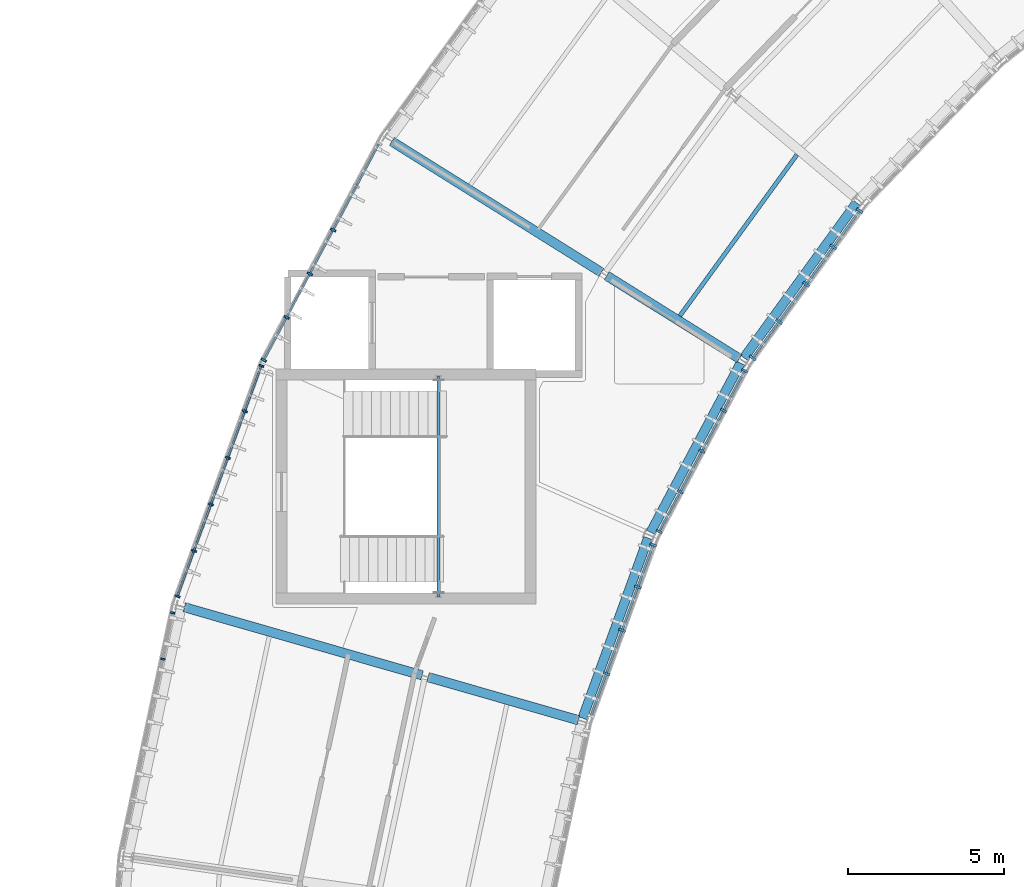
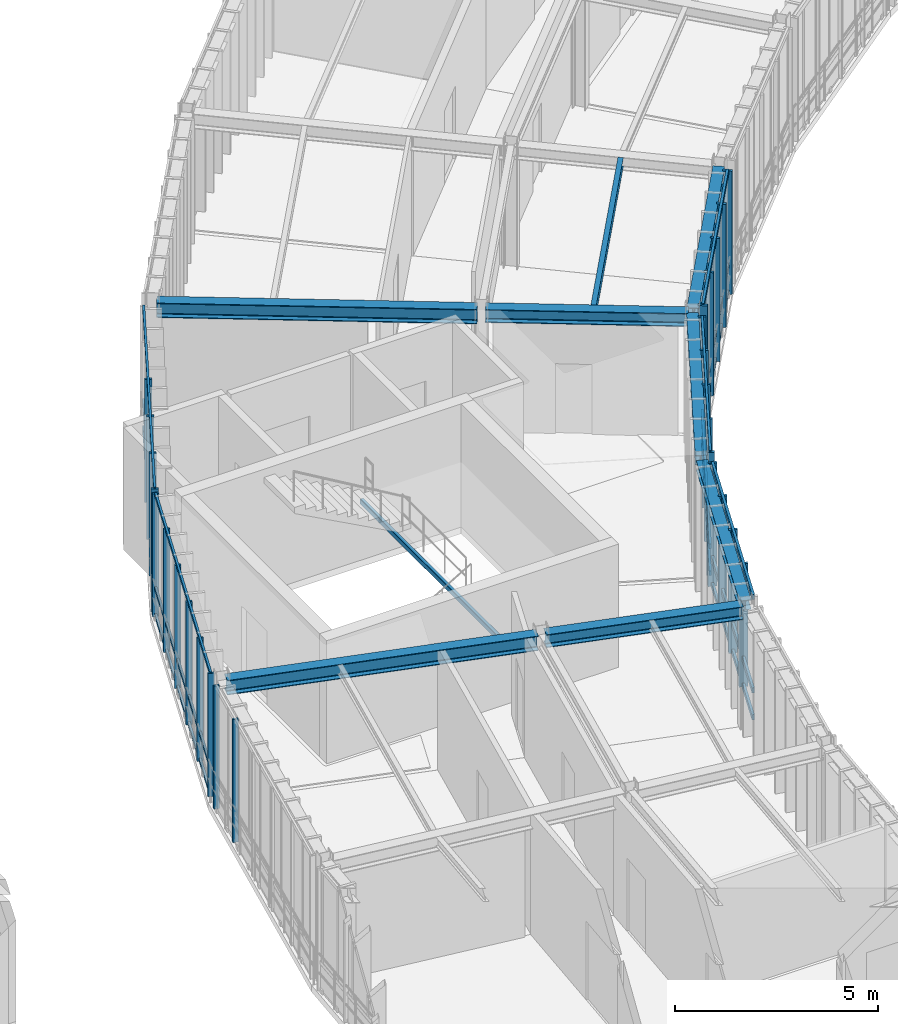
# One storey, part 11 of 41: 42 members, 8 beams, 6 elements without a shape of their own.
"""IFC4 building model written with IfcOpenShell, lengths in metres."""

from ifc_helpers import new_model, si_unit, direction, frame, origin, origin_2d, place, context, subcontext, project, spatial, rectangle, hollow_rectangle, i_section, extrude, material, layer, layer_set, material_profile, profile_set, type_object, element, aggregate, save


model = new_model("IFC4")

# Units and contexts
model_context = context("Model", 3, precision=1e-05, world=origin(), true_north=direction((0.0, 1.0)))
body_context = subcontext(model_context, "Body", "Model", "MODEL_VIEW")
ifc_project = project(units=[si_unit("LENGTHUNIT", "METRE"), si_unit("AREAUNIT", "SQUARE_METRE"), si_unit("VOLUMEUNIT", "CUBIC_METRE"), si_unit("PLANEANGLEUNIT", "RADIAN"), si_unit("MASSUNIT", "GRAM", prefix="KILO"), si_unit("THERMODYNAMICTEMPERATUREUNIT", "KELVIN"), si_unit("POWERUNIT", "WATT")], contexts=[model_context])

# Site, building, storey
site_placement = place(None, origin())
site = spatial("IfcSite", under=ifc_project, at=site_placement, CompositionType="ELEMENT")
building_placement = place(site_placement, origin())
building = spatial("IfcBuilding", under=site, at=building_placement, Name="Solvatero Civic Police Headquarters", CompositionType="ELEMENT")
storey_placement = place(building_placement, frame((0.0, 0.0, 17.699951171875)))
storey = spatial("IfcBuildingStorey", under=building, at=storey_placement, Name="L04", CompositionType="ELEMENT", Elevation=17.699951171875)

# Beams
ifc_material_1 = material(Name="Steel S355", Category="steel")
ifc_material_profile_1 = material_profile(ifc_material_1, i_section(OverallWidth=0.300048828125, OverallDepth=0.2900390625, WebThickness=0.008544921875, FlangeThickness=0.013916015625, FilletRadius=0.027099609375, at=origin_2d()), Name="HEA 300")
ifc_profile_set_1 = profile_set([ifc_material_profile_1], Name="Steel S355")
beam_type_1 = type_object("IfcBeamType", Name="BM-ST-HEA300", PredefinedType="SPANDREL", material=ifc_profile_set_1)
beam_1_placement = place(storey_placement, frame((59.201171875, 55.069580078125, 3.554931640625), z_axis=(-0.587785436261, -0.809016860714, 0.0), x_axis=(0.809016860714, -0.587785436261, 0.0)))
element("IfcBeam", 1, at=beam_1_placement, inside=storey, type_object=beam_type_1, Name="Perimeter / radial spandrel beam BM-R2-L04-ARC-CIN-B08", PredefinedType="SPANDREL", context=body_context, shape_type="SweptSolid", body=[
    extrude(i_section(OverallWidth=0.300048828125, OverallDepth=0.2900390625, WebThickness=0.008544921875, FlangeThickness=0.013916015625, FilletRadius=0.027099609375, at=origin_2d()), origin(), (0.0, 0.0, 1.0), 6.126953125),
])
beam_2_placement = place(storey_placement, frame((55.494140625, 49.943603515625, 3.554931640625), z_axis=(-0.469466925059, -0.882950058766, 0.0), x_axis=(0.882950058766, -0.469466925059, 0.0)))
element("IfcBeam", 2, at=beam_2_placement, inside=storey, type_object=beam_type_1, Name="Perimeter / radial spandrel beam BM-R2-L04-ARC-CIN-B09", PredefinedType="SPANDREL", context=body_context, shape_type="SweptSolid", body=[
    extrude(i_section(OverallWidth=0.300048828125, OverallDepth=0.2900390625, WebThickness=0.008544921875, FlangeThickness=0.013916015625, FilletRadius=0.027099609375, at=origin_2d()), origin(), (0.0, 0.0, 1.0), 6.127197265625),
])
beam_3_placement = place(storey_placement, frame((52.53662109375, 44.3515625, 3.554931640625), z_axis=(-0.342050189855, -0.939681684199, 0.0), x_axis=(0.939681684199, -0.342050189855, 0.0)))
element("IfcBeam", 3, at=beam_3_placement, inside=storey, type_object=beam_type_1, Name="Perimeter / radial spandrel beam BM-R2-L04-ARC-CIN-B10", PredefinedType="SPANDREL", context=body_context, shape_type="SweptSolid", body=[
    extrude(i_section(OverallWidth=0.300048828125, OverallDepth=0.2900390625, WebThickness=0.008544921875, FlangeThickness=0.013916015625, FilletRadius=0.027099609375, at=origin_2d()), origin(), (0.0, 0.0, 1.0), 6.126953125),
])
ifc_material_profile_2 = material_profile(ifc_material_1, i_section(OverallWidth=0.300048828125, OverallDepth=0.389892578125, WebThickness=0.010986328125, FlangeThickness=0.01904296875, FilletRadius=0.027099609375, at=origin_2d()), Name="HEA 400")
ifc_profile_set_2 = profile_set([ifc_material_profile_2], Name="Steel S355")
beam_type_2 = type_object("IfcBeamType", Name="BM-ST-HEA400", PredefinedType="BEAM", material=ifc_profile_set_2)
for number, where, z_axis, x_axis, name in (
    (4, (55.456298828125, 50.084716796875, 3.505126953125), (-0.848042191304, 0.529928713855, 0.0), (-0.529928713855, -0.848042191304, 0.0), "Primary girder BM-R2-L04-ARC-RAD1-S08"),
    (5, (50.310791015625, 38.52783203125, 3.505126953125), (-0.961263719424, 0.275630298987, 0.0), (-0.275630298987, -0.961263719424, 0.0), "Primary girder BM-R2-L04-ARC-RAD1-S10"),
):
    element("IfcBeam", number, at=place(storey_placement, frame(where, z_axis=z_axis, x_axis=x_axis)), inside=storey, type_object=beam_type_2, Name=name, PredefinedType="BEAM", context=body_context, shape_type="SweptSolid", body=[
        extrude(i_section(OverallWidth=0.300048828125, OverallDepth=0.389892578125, WebThickness=0.010986328125, FlangeThickness=0.01904296875, FilletRadius=0.027099609375, at=origin_2d()), origin(), (0.0, 0.0, 1.0), 5.0),
    ])
ifc_material_profile_3 = material_profile(ifc_material_1, i_section(OverallWidth=0.300048828125, OverallDepth=0.43994140625, WebThickness=0.011474609375, FlangeThickness=0.02099609375, FilletRadius=0.027099609375, at=origin_2d()), Name="HEA 450")
ifc_profile_set_3 = profile_set([ifc_material_profile_3], Name="Steel S355")
beam_type_3 = type_object("IfcBeamType", Name="BM-ST-HEA450", PredefinedType="BEAM", material=ifc_profile_set_3)
beam_4_placement = place(storey_placement, frame((51.04638671875, 52.84033203125, 3.47998046875), z_axis=(-0.848043440319, 0.529926715057, 0.0), x_axis=(-0.529926715057, -0.848043440319, 0.0)))
element("IfcBeam", 6, at=beam_4_placement, inside=storey, type_object=beam_type_3, Name="Primary girder BM-R2-L04-ARC-RAD2-S08", PredefinedType="BEAM", context=body_context, shape_type="SweptSolid", body=[
    extrude(i_section(OverallWidth=0.300048828125, OverallDepth=0.43994140625, WebThickness=0.011474609375, FlangeThickness=0.02099609375, FilletRadius=0.027099609375, at=origin_2d()), origin(), (0.0, 0.0, 1.0), 7.900146484375),
])
beam_5_placement = place(storey_placement, frame((45.31201171875, 39.961181640625, 3.47998046875), z_axis=(-0.961271645974, 0.275602653554, 0.0), x_axis=(-0.275602653554, -0.961271645974, 0.0)))
element("IfcBeam", 7, at=beam_5_placement, inside=storey, type_object=beam_type_3, Name="Primary girder BM-R2-L04-ARC-RAD2-S10", PredefinedType="BEAM", context=body_context, shape_type="SweptSolid", body=[
    extrude(i_section(OverallWidth=0.300048828125, OverallDepth=0.43994140625, WebThickness=0.011474609375, FlangeThickness=0.02099609375, FilletRadius=0.027099609375, at=origin_2d()), origin(), (0.0, 0.0, 1.0), 7.89990234375),
])
ifc_material_profile_4 = material_profile(ifc_material_1, i_section(OverallWidth=0.135009765625, OverallDepth=0.27001953125, WebThickness=0.006591796875, FlangeThickness=0.01025390625, FilletRadius=0.014892578125, at=origin_2d()), Name="IPE 270")
ifc_profile_set_4 = profile_set([ifc_material_profile_4], Name="Steel S355")
beam_type_4 = type_object("IfcBeamType", Name="BM-ST-IPE270", PredefinedType="BEAM", material=ifc_profile_set_4)
beam_6_placement = place(storey_placement, frame((57.294921875, 56.603759765625, 3.56494140625), z_axis=(-0.587786418719, -0.809016146915, 0.0), x_axis=(0.809016146915, -0.587786418719, 0.0)))
element("IfcBeam", 8, at=beam_6_placement, inside=storey, type_object=beam_type_4, Name="Composite floor beam BM-R2-L04-ARC-CS1-B08", PredefinedType="BEAM", context=body_context, shape_type="SweptSolid", body=[
    extrude(i_section(OverallWidth=0.135009765625, OverallDepth=0.27001953125, WebThickness=0.006591796875, FlangeThickness=0.01025390625, FilletRadius=0.014892578125, at=origin_2d()), origin(), (0.0, 0.0, 1.0), 6.36865234375),
])

# Curtain wall, members
ifc_material_2 = material(Name="Anodized Bronze Aluminium", Category="aluminium")
ifc_layer_1 = layer(ifc_material_2, 0.179931640625)
ifc_layer_set_1 = layer_set([ifc_layer_1], Name="Anodized Bronze Aluminium")
curtain_wall_type_1 = type_object("IfcCurtainWallType", Name="CW-ARC-IN", PredefinedType="USERDEFINED", material=ifc_layer_set_1)
curtain_wall_1_placement = place(storey_placement, origin())
curtain_wall_1 = element("IfcCurtainWall", 9, at=curtain_wall_1_placement, inside=storey, type_object=curtain_wall_type_1, Name="Curtain Wall CW-R2-L04-ARC-IN-B08", ObjectType="UNITISED", PredefinedType="USERDEFINED")
ifc_material_profile_5 = material_profile(ifc_material_2, rectangle(XDim=0.080078125, YDim=0.239990234375, at=origin_2d()), Name="ALU MULLION 80x240")
ifc_profile_set_5 = profile_set([ifc_material_profile_5], Name="Anodized Bronze Aluminium")
member_type_1 = type_object("IfcMemberType", Name="CWM-140x60", PredefinedType="MULLION", material=ifc_profile_set_5)
member_1_placement = place(storey_placement, frame((59.298583984375, 54.813232421875, 0.0), z_axis=(0.0, 0.0, 1.0), x_axis=(-0.587799372213, -0.809006735464, 0.0)))
member_1 = element("IfcMember", 10, at=member_1_placement, type_object=member_type_1, Name="CW-R2-L04-ARC-IN-B08 Mullion 1", PredefinedType="MULLION", context=body_context, shape_type="SweptSolid", body=[
    extrude(rectangle(XDim=0.080078125, YDim=0.239990234375, at=origin_2d()), origin(), (0.0, 0.0, 1.0), 3.699951171875),
])
member_2_placement = place(storey_placement, frame((58.45556640625, 53.653076171875, 0.0), z_axis=(0.0, 0.0, 1.0), x_axis=(-0.587799372213, -0.809006735464, 0.0)))
member_2 = element("IfcMember", 11, at=member_2_placement, type_object=member_type_1, Name="CW-R2-L04-ARC-IN-B08 Mullion 2", PredefinedType="MULLION", context=body_context, shape_type="SweptSolid", body=[
    extrude(rectangle(XDim=0.080078125, YDim=0.239990234375, at=origin_2d()), origin(), (0.0, 0.0, 1.0), 3.699951171875),
])
member_3_placement = place(storey_placement, frame((57.589111328125, 52.460205078125, 0.0), z_axis=(0.0, 0.0, 1.0), x_axis=(-0.587799372213, -0.809006735464, 0.0)))
member_3 = element("IfcMember", 12, at=member_3_placement, type_object=member_type_1, Name="CW-R2-L04-ARC-IN-B08 Mullion 3", PredefinedType="MULLION", context=body_context, shape_type="SweptSolid", body=[
    extrude(rectangle(XDim=0.080078125, YDim=0.239990234375, at=origin_2d()), origin(), (0.0, 0.0, 1.0), 3.699951171875),
])
member_4_placement = place(storey_placement, frame((56.722412109375, 51.267578125, 0.0), z_axis=(0.0, 0.0, 1.0), x_axis=(-0.587799372213, -0.809006735464, 0.0)))
member_4 = element("IfcMember", 13, at=member_4_placement, type_object=member_type_1, Name="CW-R2-L04-ARC-IN-B08 Mullion 4", PredefinedType="MULLION", context=body_context, shape_type="SweptSolid", body=[
    extrude(rectangle(XDim=0.080078125, YDim=0.239990234375, at=origin_2d()), origin(), (0.0, 0.0, 1.0), 3.699951171875),
])
member_5_placement = place(storey_placement, frame((55.87939453125, 50.107421875, 0.0), z_axis=(0.0, 0.0, 1.0), x_axis=(-0.587799372213, -0.809006735464, 0.0)))
member_5 = element("IfcMember", 14, at=member_5_placement, type_object=member_type_1, Name="CW-R2-L04-ARC-IN-B08 Mullion 5", PredefinedType="MULLION", context=body_context, shape_type="SweptSolid", body=[
    extrude(rectangle(XDim=0.080078125, YDim=0.239990234375, at=origin_2d()), origin(), (0.0, 0.0, 1.0), 3.699951171875),
])

ifc_layer_2 = layer(ifc_material_2, 0.179931640625)
ifc_layer_set_2 = layer_set([ifc_layer_2], Name="Anodized Bronze Aluminium")
curtain_wall_type_2 = type_object("IfcCurtainWallType", Name="CW-ARC-OUT", PredefinedType="USERDEFINED", material=ifc_layer_set_2)
curtain_wall_2_placement = place(storey_placement, origin())
curtain_wall_2 = element("IfcCurtainWall", 15, at=curtain_wall_2_placement, inside=storey, type_object=curtain_wall_type_2, Name="Curtain Wall CW-R2-L04-ARC-OUT-B11", ObjectType="UNITISED", PredefinedType="USERDEFINED")
ifc_material_profile_6 = material_profile(ifc_material_2, rectangle(XDim=0.06005859375, YDim=0.139892578125, at=origin_2d()), Name="ALU MULLION 60x140")
ifc_profile_set_6 = profile_set([ifc_material_profile_6], Name="Anodized Bronze Aluminium")
member_type_2 = type_object("IfcMemberType", Name="CWM-160x65", PredefinedType="MULLION", material=ifc_profile_set_6)
member_6_placement = place(storey_placement, frame((37.343505859375, 41.959716796875, 0.0), z_axis=(0.0, 0.0, 1.0), x_axis=(-0.207911690818, -0.978147600734, 0.0)))
member_6 = element("IfcMember", 16, at=member_6_placement, type_object=member_type_2, Name="CW-R2-L04-ARC-OUT-B11 Mullion 1", PredefinedType="MULLION", context=body_context, shape_type="SweptSolid", body=[
    extrude(rectangle(XDim=0.06005859375, YDim=0.139892578125, at=origin_2d()), origin(), (0.0, 0.0, 1.0), 3.699951171875),
])
member_7_placement = place(storey_placement, frame((37.029296875, 40.482177734375, 0.0), z_axis=(0.0, 0.0, 1.0), x_axis=(-0.207911690818, -0.978147600734, 0.0)))
member_7 = element("IfcMember", 17, at=member_7_placement, type_object=member_type_2, Name="CW-R2-L04-ARC-OUT-B11 Mullion 2", PredefinedType="MULLION", context=body_context, shape_type="SweptSolid", body=[
    extrude(rectangle(XDim=0.06005859375, YDim=0.139892578125, at=origin_2d()), origin(), (0.0, 0.0, 1.0), 3.699951171875),
])
aggregate(curtain_wall_2, [member_6, member_7])

curtain_wall_3_placement = place(storey_placement, origin())
curtain_wall_3 = element("IfcCurtainWall", 18, at=curtain_wall_3_placement, inside=storey, type_object=curtain_wall_type_2, Name="Curtain Wall CW-R2-L04-ARC-OUT-B10", ObjectType="UNITISED", PredefinedType="USERDEFINED")
ifc_material_profile_7 = material_profile(ifc_material_2, rectangle(XDim=0.06005859375, YDim=0.159912109375, at=origin_2d()), Name="ALU MULLION 60x160")
ifc_profile_set_7 = profile_set([ifc_material_profile_7], Name="Anodized Bronze Aluminium")
member_type_3 = type_object("IfcMemberType", Name="CWM-180x70", PredefinedType="MULLION", material=ifc_profile_set_7)
member_8_placement = place(storey_placement, frame((40.17626953125, 49.854736328125, 0.0), z_axis=(0.0, 0.0, 1.0), x_axis=(-0.342020143326, -0.939692620786, 0.0)))
member_8 = element("IfcMember", 19, at=member_8_placement, type_object=member_type_3, Name="CW-R2-L04-ARC-OUT-B10 Mullion 1", PredefinedType="MULLION", context=body_context, shape_type="SweptSolid", body=[
    extrude(rectangle(XDim=0.06005859375, YDim=0.159912109375, at=origin_2d()), origin(), (0.0, 0.0, 1.0), 3.699951171875),
])
member_9_placement = place(storey_placement, frame((39.648193359375, 48.404052734375, 0.0), z_axis=(0.0, 0.0, 1.0), x_axis=(-0.342020143326, -0.939692620786, 0.0)))
member_9 = element("IfcMember", 20, at=member_9_placement, type_object=member_type_3, Name="CW-R2-L04-ARC-OUT-B10 Mullion 2", PredefinedType="MULLION", context=body_context, shape_type="SweptSolid", body=[
    extrude(rectangle(XDim=0.06005859375, YDim=0.159912109375, at=origin_2d()), origin(), (0.0, 0.0, 1.0), 3.699951171875),
])
member_10_placement = place(storey_placement, frame((39.106689453125, 46.916015625, 0.0), z_axis=(0.0, 0.0, 1.0), x_axis=(-0.342020143326, -0.939692620786, 0.0)))
member_10 = element("IfcMember", 21, at=member_10_placement, type_object=member_type_3, Name="CW-R2-L04-ARC-OUT-B10 Mullion 3", PredefinedType="MULLION", context=body_context, shape_type="SweptSolid", body=[
    extrude(rectangle(XDim=0.06005859375, YDim=0.159912109375, at=origin_2d()), origin(), (0.0, 0.0, 1.0), 3.699951171875),
])
member_11_placement = place(storey_placement, frame((38.56494140625, 45.427734375, 0.0), z_axis=(0.0, 0.0, 1.0), x_axis=(-0.342020143326, -0.939692620786, 0.0)))
member_11 = element("IfcMember", 22, at=member_11_placement, type_object=member_type_3, Name="CW-R2-L04-ARC-OUT-B10 Mullion 4", PredefinedType="MULLION", context=body_context, shape_type="SweptSolid", body=[
    extrude(rectangle(XDim=0.06005859375, YDim=0.159912109375, at=origin_2d()), origin(), (0.0, 0.0, 1.0), 3.699951171875),
])
member_12_placement = place(storey_placement, frame((38.023193359375, 43.939453125, 0.0), z_axis=(0.0, 0.0, 1.0), x_axis=(-0.342020143326, -0.939692620786, 0.0)))
member_12 = element("IfcMember", 23, at=member_12_placement, type_object=member_type_3, Name="CW-R2-L04-ARC-OUT-B10 Mullion 5", PredefinedType="MULLION", context=body_context, shape_type="SweptSolid", body=[
    extrude(rectangle(XDim=0.06005859375, YDim=0.159912109375, at=origin_2d()), origin(), (0.0, 0.0, 1.0), 3.699951171875),
])
member_13_placement = place(storey_placement, frame((37.495361328125, 42.489013671875, 0.0), z_axis=(0.0, 0.0, 1.0), x_axis=(-0.342020143326, -0.939692620786, 0.0)))
member_13 = element("IfcMember", 24, at=member_13_placement, type_object=member_type_3, Name="CW-R2-L04-ARC-OUT-B10 Mullion 6", PredefinedType="MULLION", context=body_context, shape_type="SweptSolid", body=[
    extrude(rectangle(XDim=0.06005859375, YDim=0.159912109375, at=origin_2d()), origin(), (0.0, 0.0, 1.0), 3.699951171875),
])

curtain_wall_4_placement = place(storey_placement, origin())
curtain_wall_4 = element("IfcCurtainWall", 25, at=curtain_wall_4_placement, inside=storey, type_object=curtain_wall_type_2, Name="Curtain Wall CW-R2-L04-ARC-OUT-B09", ObjectType="UNITISED", PredefinedType="USERDEFINED")
ifc_material_profile_8 = material_profile(ifc_material_2, rectangle(XDim=0.06494140625, YDim=0.179931640625, at=origin_2d()), Name="ALU MULLION 65x180")
ifc_profile_set_8 = profile_set([ifc_material_profile_8], Name="Anodized Bronze Aluminium")
member_type_4 = type_object("IfcMemberType", Name="CWM-200x75", PredefinedType="MULLION", material=ifc_profile_set_8)
member_14_placement = place(storey_placement, frame((42.46923828125, 54.19677734375, 0.0), z_axis=(0.0, 0.0, 1.0), x_axis=(-0.469486973057, -0.8829393989, 0.0)))
member_14 = element("IfcMember", 26, at=member_14_placement, type_object=member_type_4, Name="CW-R2-L04-ARC-OUT-B09 Mullion 3", PredefinedType="MULLION", context=body_context, shape_type="SweptSolid", body=[
    extrude(rectangle(XDim=0.06494140625, YDim=0.179931640625, at=origin_2d()), origin(), (0.0, 0.0, 1.0), 3.699951171875),
])
member_15_placement = place(storey_placement, frame((41.7255859375, 52.79833984375, 0.0), z_axis=(0.0, 0.0, 1.0), x_axis=(-0.469486973057, -0.8829393989, 0.0)))
member_15 = element("IfcMember", 27, at=member_15_placement, type_object=member_type_4, Name="CW-R2-L04-ARC-OUT-B09 Mullion 4", PredefinedType="MULLION", context=body_context, shape_type="SweptSolid", body=[
    extrude(rectangle(XDim=0.06494140625, YDim=0.179931640625, at=origin_2d()), origin(), (0.0, 0.0, 1.0), 3.699951171875),
])
member_16_placement = place(storey_placement, frame((40.982177734375, 51.39990234375, 0.0), z_axis=(0.0, 0.0, 1.0), x_axis=(-0.469486973057, -0.8829393989, 0.0)))
member_16 = element("IfcMember", 28, at=member_16_placement, type_object=member_type_4, Name="CW-R2-L04-ARC-OUT-B09 Mullion 5", PredefinedType="MULLION", context=body_context, shape_type="SweptSolid", body=[
    extrude(rectangle(XDim=0.06494140625, YDim=0.179931640625, at=origin_2d()), origin(), (0.0, 0.0, 1.0), 3.699951171875),
])
member_17_placement = place(storey_placement, frame((40.25732421875, 50.037109375, 0.0), z_axis=(0.0, 0.0, 1.0), x_axis=(-0.469486973057, -0.8829393989, 0.0)))
member_17 = element("IfcMember", 29, at=member_17_placement, type_object=member_type_4, Name="CW-R2-L04-ARC-OUT-B09 Mullion 6", PredefinedType="MULLION", context=body_context, shape_type="SweptSolid", body=[
    extrude(rectangle(XDim=0.06494140625, YDim=0.179931640625, at=origin_2d()), origin(), (0.0, 0.0, 1.0), 3.699951171875),
])

curtain_wall_5_placement = place(storey_placement, origin())
curtain_wall_5 = element("IfcCurtainWall", 30, at=curtain_wall_5_placement, inside=storey, type_object=curtain_wall_type_1, Name="Curtain Wall CW-R2-L04-ARC-IN-B09", ObjectType="UNITISED", PredefinedType="USERDEFINED")
ifc_material_profile_9 = material_profile(ifc_material_2, rectangle(XDim=0.070068359375, YDim=0.199951171875, at=origin_2d()), Name="ALU MULLION 70x200")
ifc_profile_set_9 = profile_set([ifc_material_profile_9], Name="Anodized Bronze Aluminium")
member_type_5 = type_object("IfcMemberType", Name="CWM-220x80", PredefinedType="MULLION", material=ifc_profile_set_9)
member_18_placement = place(storey_placement, frame((55.62158203125, 49.694580078125, 0.0), z_axis=(0.0, 0.0, 1.0), x_axis=(-0.469486973057, -0.8829393989, 0.0)))
member_18 = element("IfcMember", 31, at=member_18_placement, type_object=member_type_5, Name="CW-R2-L04-ARC-IN-B09 Mullion 1", PredefinedType="MULLION", context=body_context, shape_type="SweptSolid", body=[
    extrude(rectangle(XDim=0.070068359375, YDim=0.199951171875, at=origin_2d()), origin(), (0.0, 0.0, 1.0), 3.699951171875),
])
member_19_placement = place(storey_placement, frame((54.9482421875, 48.427978515625, 0.0), z_axis=(0.0, 0.0, 1.0), x_axis=(-0.469486973057, -0.8829393989, 0.0)))
member_19 = element("IfcMember", 32, at=member_19_placement, type_object=member_type_5, Name="CW-R2-L04-ARC-IN-B09 Mullion 2", PredefinedType="MULLION", context=body_context, shape_type="SweptSolid", body=[
    extrude(rectangle(XDim=0.070068359375, YDim=0.199951171875, at=origin_2d()), origin(), (0.0, 0.0, 1.0), 3.699951171875),
])
member_20_placement = place(storey_placement, frame((54.256103515625, 47.12646484375, 0.0), z_axis=(0.0, 0.0, 1.0), x_axis=(-0.469486973057, -0.8829393989, 0.0)))
member_20 = element("IfcMember", 33, at=member_20_placement, type_object=member_type_5, Name="CW-R2-L04-ARC-IN-B09 Mullion 3", PredefinedType="MULLION", context=body_context, shape_type="SweptSolid", body=[
    extrude(rectangle(XDim=0.070068359375, YDim=0.199951171875, at=origin_2d()), origin(), (0.0, 0.0, 1.0), 3.699951171875),
])
member_21_placement = place(storey_placement, frame((53.56396484375, 45.82470703125, 0.0), z_axis=(0.0, 0.0, 1.0), x_axis=(-0.469486973057, -0.8829393989, 0.0)))
member_21 = element("IfcMember", 34, at=member_21_placement, type_object=member_type_5, Name="CW-R2-L04-ARC-IN-B09 Mullion 4", PredefinedType="MULLION", context=body_context, shape_type="SweptSolid", body=[
    extrude(rectangle(XDim=0.070068359375, YDim=0.199951171875, at=origin_2d()), origin(), (0.0, 0.0, 1.0), 3.699951171875),
])
member_22_placement = place(storey_placement, frame((52.890625, 44.55859375, 0.0), z_axis=(0.0, 0.0, 1.0), x_axis=(-0.469486973057, -0.8829393989, 0.0)))
member_22 = element("IfcMember", 35, at=member_22_placement, type_object=member_type_5, Name="CW-R2-L04-ARC-IN-B09 Mullion 5", PredefinedType="MULLION", context=body_context, shape_type="SweptSolid", body=[
    extrude(rectangle(XDim=0.070068359375, YDim=0.199951171875, at=origin_2d()), origin(), (0.0, 0.0, 1.0), 3.699951171875),
])

curtain_wall_6_placement = place(storey_placement, origin())
curtain_wall_6 = element("IfcCurtainWall", 36, at=curtain_wall_6_placement, inside=storey, type_object=curtain_wall_type_1, Name="Curtain Wall CW-R2-L04-ARC-IN-B10", ObjectType="UNITISED", PredefinedType="USERDEFINED")
ifc_material_profile_10 = material_profile(ifc_material_2, rectangle(XDim=0.074951171875, YDim=0.219970703125, at=origin_2d()), Name="ALU MULLION 75x220")
ifc_profile_set_10 = profile_set([ifc_material_profile_10], Name="Anodized Bronze Aluminium")
member_type_6 = type_object("IfcMemberType", Name="CWM-250x85", PredefinedType="MULLION", material=ifc_profile_set_10)
member_23_placement = place(storey_placement, frame((52.70068359375, 44.132080078125, 0.0), z_axis=(0.0, 0.0, 1.0), x_axis=(-0.342003742543, -0.93969859002, 0.0)))
member_23 = element("IfcMember", 37, at=member_23_placement, type_object=member_type_6, Name="CW-R2-L04-ARC-IN-B10 Mullion 1", PredefinedType="MULLION", context=body_context, shape_type="SweptSolid", body=[
    extrude(rectangle(XDim=0.074951171875, YDim=0.219970703125, at=origin_2d()), origin(), (0.0, 0.0, 1.0), 3.699951171875),
])
member_24_placement = place(storey_placement, frame((52.210205078125, 42.784423828125, 0.0), z_axis=(0.0, 0.0, 1.0), x_axis=(-0.342003742543, -0.93969859002, 0.0)))
member_24 = element("IfcMember", 38, at=member_24_placement, type_object=member_type_6, Name="CW-R2-L04-ARC-IN-B10 Mullion 2", PredefinedType="MULLION", context=body_context, shape_type="SweptSolid", body=[
    extrude(rectangle(XDim=0.074951171875, YDim=0.219970703125, at=origin_2d()), origin(), (0.0, 0.0, 1.0), 3.699951171875),
])
member_25_placement = place(storey_placement, frame((51.7060546875, 41.399169921875, 0.0), z_axis=(0.0, 0.0, 1.0), x_axis=(-0.342003742543, -0.93969859002, 0.0)))
member_25 = element("IfcMember", 39, at=member_25_placement, type_object=member_type_6, Name="CW-R2-L04-ARC-IN-B10 Mullion 3", PredefinedType="MULLION", context=body_context, shape_type="SweptSolid", body=[
    extrude(rectangle(XDim=0.074951171875, YDim=0.219970703125, at=origin_2d()), origin(), (0.0, 0.0, 1.0), 3.699951171875),
])
member_26_placement = place(storey_placement, frame((51.201904296875, 40.013916015625, 0.0), z_axis=(0.0, 0.0, 1.0), x_axis=(-0.342003742543, -0.93969859002, 0.0)))
member_26 = element("IfcMember", 40, at=member_26_placement, type_object=member_type_6, Name="CW-R2-L04-ARC-IN-B10 Mullion 4", PredefinedType="MULLION", context=body_context, shape_type="SweptSolid", body=[
    extrude(rectangle(XDim=0.074951171875, YDim=0.219970703125, at=origin_2d()), origin(), (0.0, 0.0, 1.0), 3.699951171875),
])

# Member
ifc_material_profile_11 = material_profile(ifc_material_2, rectangle(XDim=0.070068359375, YDim=0.159912109375, at=origin_2d()), Name="ALU TRANSOM 70x160")
ifc_profile_set_11 = profile_set([ifc_material_profile_11], Name="Anodized Bronze Aluminium")
member_type_7 = type_object("IfcMemberType", Name="CWT-120x55", PredefinedType="USERDEFINED", material=ifc_profile_set_11)
member_27_placement = place(storey_placement, frame((59.292724609375, 54.80517578125, 0.0400390625), z_axis=(-0.587808532943, -0.80900007948, 0.0), x_axis=(0.80900007948, -0.587808532943, 0.0)))
member_27 = element("IfcMember", 41, at=member_27_placement, type_object=member_type_7, Name="CW-R2-L04-ARC-IN-B08 Transom 1", ObjectType="TRANSOM", PredefinedType="USERDEFINED", context=body_context, shape_type="SweptSolid", body=[
    extrude(rectangle(XDim=0.070068359375, YDim=0.159912109375, at=origin_2d()), origin(), (0.0, 0.0, 1.0), 5.796875),
])

member_28_placement = place(storey_placement, frame((59.292724609375, 54.80517578125, 0.85009765625), z_axis=(-0.587808532943, -0.80900007948, 0.0), x_axis=(0.80900007948, -0.587808532943, 0.0)))
member_28 = element("IfcMember", 42, at=member_28_placement, type_object=member_type_7, Name="CW-R2-L04-ARC-IN-B08 Transom 2", ObjectType="TRANSOM", PredefinedType="USERDEFINED", context=body_context, shape_type="SweptSolid", body=[
    extrude(rectangle(XDim=0.070068359375, YDim=0.159912109375, at=origin_2d()), origin(), (0.0, 0.0, 1.0), 5.796875),
])

member_29_placement = place(storey_placement, frame((59.292724609375, 54.80517578125, 3.66015625), z_axis=(-0.587808532943, -0.80900007948, 0.0), x_axis=(0.80900007948, -0.587808532943, 0.0)))
member_29 = element("IfcMember", 43, at=member_29_placement, type_object=member_type_7, Name="CW-R2-L04-ARC-IN-B08 Transom 3", ObjectType="TRANSOM", PredefinedType="USERDEFINED", context=body_context, shape_type="SweptSolid", body=[
    extrude(rectangle(XDim=0.070068359375, YDim=0.159912109375, at=origin_2d()), origin(), (0.0, 0.0, 1.0), 5.796875),
])

aggregate(curtain_wall_1, [member_1, member_2, member_3, member_4, member_5, member_27, member_28, member_29])

member_30_placement = place(storey_placement, frame((52.697265625, 44.122802734375, 0.0400390625), z_axis=(-0.341986528417, -0.939704854931, 0.0), x_axis=(0.939704854931, -0.341986528417, 0.0)))
member_30 = element("IfcMember", 44, at=member_30_placement, type_object=member_type_7, Name="CW-R2-L04-ARC-IN-B10 Transom 1", ObjectType="TRANSOM", PredefinedType="USERDEFINED", context=body_context, shape_type="SweptSolid", body=[
    extrude(rectangle(XDim=0.070068359375, YDim=0.159912109375, at=origin_2d()), origin(), (0.0, 0.0, 1.0), 5.796875),
])

member_31_placement = place(storey_placement, frame((52.697265625, 44.122802734375, 0.85009765625), z_axis=(-0.341986528417, -0.939704854931, 0.0), x_axis=(0.939704854931, -0.341986528417, 0.0)))
member_31 = element("IfcMember", 45, at=member_31_placement, type_object=member_type_7, Name="CW-R2-L04-ARC-IN-B10 Transom 2", ObjectType="TRANSOM", PredefinedType="USERDEFINED", context=body_context, shape_type="SweptSolid", body=[
    extrude(rectangle(XDim=0.070068359375, YDim=0.159912109375, at=origin_2d()), origin(), (0.0, 0.0, 1.0), 5.796875),
])

member_32_placement = place(storey_placement, frame((52.697265625, 44.122802734375, 3.66015625), z_axis=(-0.341986528417, -0.939704854931, 0.0), x_axis=(0.939704854931, -0.341986528417, 0.0)))
member_32 = element("IfcMember", 46, at=member_32_placement, type_object=member_type_7, Name="CW-R2-L04-ARC-IN-B10 Transom 3", ObjectType="TRANSOM", PredefinedType="USERDEFINED", context=body_context, shape_type="SweptSolid", body=[
    extrude(rectangle(XDim=0.070068359375, YDim=0.159912109375, at=origin_2d()), origin(), (0.0, 0.0, 1.0), 5.796875),
])

aggregate(curtain_wall_6, [member_23, member_24, member_25, member_26, member_30, member_31, member_32])

ifc_material_profile_12 = material_profile(ifc_material_2, rectangle(XDim=0.06005859375, YDim=0.110107421875, at=origin_2d()), Name="ALU TRANSOM 60x110")
ifc_profile_set_12 = profile_set([ifc_material_profile_12], Name="Anodized Bronze Aluminium")
member_type_8 = type_object("IfcMemberType", Name="CWT-140x60", PredefinedType="USERDEFINED", material=ifc_profile_set_12)
member_33_placement = place(storey_placement, frame((40.1728515625, 49.84521484375, 0.0400390625), z_axis=(-0.342021349396, -0.939692181811, 0.0), x_axis=(0.939692181811, -0.342021349396, 0.0)))
member_33 = element("IfcMember", 47, at=member_33_placement, type_object=member_type_8, Name="CW-R2-L04-ARC-OUT-B10 Transom 1", ObjectType="TRANSOM", PredefinedType="USERDEFINED", context=body_context, shape_type="SweptSolid", body=[
    extrude(rectangle(XDim=0.06005859375, YDim=0.110107421875, at=origin_2d()), origin(), (0.0, 0.0, 1.0), 7.818359375),
])

member_34_placement = place(storey_placement, frame((40.1728515625, 49.84521484375, 0.85009765625), z_axis=(-0.342021349396, -0.939692181811, 0.0), x_axis=(0.939692181811, -0.342021349396, 0.0)))
member_34 = element("IfcMember", 48, at=member_34_placement, type_object=member_type_8, Name="CW-R2-L04-ARC-OUT-B10 Transom 2", ObjectType="TRANSOM", PredefinedType="USERDEFINED", context=body_context, shape_type="SweptSolid", body=[
    extrude(rectangle(XDim=0.06005859375, YDim=0.110107421875, at=origin_2d()), origin(), (0.0, 0.0, 1.0), 7.818359375),
])

member_35_placement = place(storey_placement, frame((40.1728515625, 49.84521484375, 3.66015625), z_axis=(-0.342021349396, -0.939692181811, 0.0), x_axis=(0.939692181811, -0.342021349396, 0.0)))
member_35 = element("IfcMember", 49, at=member_35_placement, type_object=member_type_8, Name="CW-R2-L04-ARC-OUT-B10 Transom 3", ObjectType="TRANSOM", PredefinedType="USERDEFINED", context=body_context, shape_type="SweptSolid", body=[
    extrude(rectangle(XDim=0.06005859375, YDim=0.110107421875, at=origin_2d()), origin(), (0.0, 0.0, 1.0), 7.818359375),
])

aggregate(curtain_wall_3, [member_8, member_9, member_10, member_11, member_12, member_13, member_33, member_34, member_35])

ifc_material_profile_13 = material_profile(ifc_material_2, rectangle(XDim=0.06005859375, YDim=0.125, at=origin_2d()), Name="ALU TRANSOM 60x125")
ifc_profile_set_13 = profile_set([ifc_material_profile_13], Name="Anodized Bronze Aluminium")
member_type_9 = type_object("IfcMemberType", Name="CWT-160x65", PredefinedType="USERDEFINED", material=ifc_profile_set_13)
member_36_placement = place(storey_placement, frame((43.9326171875, 56.94921875, 0.0400390625), z_axis=(-0.469456569542, -0.882955564745, 0.0), x_axis=(0.882955564745, -0.469456569542, 0.0)))
member_36 = element("IfcMember", 50, at=member_36_placement, type_object=member_type_9, Name="CW-R2-L04-ARC-OUT-B09 Transom 1", ObjectType="TRANSOM", PredefinedType="USERDEFINED", context=body_context, shape_type="SweptSolid", body=[
    extrude(rectangle(XDim=0.06005859375, YDim=0.125, at=origin_2d()), origin(), (0.0, 0.0, 1.0), 7.818359375),
])

member_37_placement = place(storey_placement, frame((43.9326171875, 56.94921875, 0.85009765625), z_axis=(-0.469456569542, -0.882955564745, 0.0), x_axis=(0.882955564745, -0.469456569542, 0.0)))
member_37 = element("IfcMember", 51, at=member_37_placement, type_object=member_type_9, Name="CW-R2-L04-ARC-OUT-B09 Transom 2", ObjectType="TRANSOM", PredefinedType="USERDEFINED", context=body_context, shape_type="SweptSolid", body=[
    extrude(rectangle(XDim=0.06005859375, YDim=0.125, at=origin_2d()), origin(), (0.0, 0.0, 1.0), 7.818359375),
])

member_38_placement = place(storey_placement, frame((43.9326171875, 56.94921875, 3.66015625), z_axis=(-0.469456569542, -0.882955564745, 0.0), x_axis=(0.882955564745, -0.469456569542, 0.0)))
member_38 = element("IfcMember", 52, at=member_38_placement, type_object=member_type_9, Name="CW-R2-L04-ARC-OUT-B09 Transom 3", ObjectType="TRANSOM", PredefinedType="USERDEFINED", context=body_context, shape_type="SweptSolid", body=[
    extrude(rectangle(XDim=0.06005859375, YDim=0.125, at=origin_2d()), origin(), (0.0, 0.0, 1.0), 7.818359375),
])

aggregate(curtain_wall_4, [member_14, member_15, member_16, member_17, member_36, member_37, member_38])

ifc_material_profile_14 = material_profile(ifc_material_2, rectangle(XDim=0.06494140625, YDim=0.139892578125, at=origin_2d()), Name="ALU TRANSOM 65x140")
ifc_profile_set_14 = profile_set([ifc_material_profile_14], Name="Anodized Bronze Aluminium")
member_type_10 = type_object("IfcMemberType", Name="CWT-180x70", PredefinedType="USERDEFINED", material=ifc_profile_set_14)
member_39_placement = place(storey_placement, frame((55.61669921875, 49.685791015625, 0.0400390625), z_axis=(-0.469462099107, -0.882952624721, 0.0), x_axis=(0.882952624721, -0.469462099107, 0.0)))
member_39 = element("IfcMember", 53, at=member_39_placement, type_object=member_type_10, Name="CW-R2-L04-ARC-IN-B09 Transom 1", ObjectType="TRANSOM", PredefinedType="USERDEFINED", context=body_context, shape_type="SweptSolid", body=[
    extrude(rectangle(XDim=0.06494140625, YDim=0.139892578125, at=origin_2d()), origin(), (0.0, 0.0, 1.0), 5.796875),
])

member_40_placement = place(storey_placement, frame((55.61669921875, 49.685791015625, 0.85009765625), z_axis=(-0.469462099107, -0.882952624721, 0.0), x_axis=(0.882952624721, -0.469462099107, 0.0)))
member_40 = element("IfcMember", 54, at=member_40_placement, type_object=member_type_10, Name="CW-R2-L04-ARC-IN-B09 Transom 2", ObjectType="TRANSOM", PredefinedType="USERDEFINED", context=body_context, shape_type="SweptSolid", body=[
    extrude(rectangle(XDim=0.06494140625, YDim=0.139892578125, at=origin_2d()), origin(), (0.0, 0.0, 1.0), 5.796875),
])

member_41_placement = place(storey_placement, frame((55.61669921875, 49.685791015625, 3.66015625), z_axis=(-0.469462099107, -0.882952624721, 0.0), x_axis=(0.882952624721, -0.469462099107, 0.0)))
member_41 = element("IfcMember", 55, at=member_41_placement, type_object=member_type_10, Name="CW-R2-L04-ARC-IN-B09 Transom 3", ObjectType="TRANSOM", PredefinedType="USERDEFINED", context=body_context, shape_type="SweptSolid", body=[
    extrude(rectangle(XDim=0.06494140625, YDim=0.139892578125, at=origin_2d()), origin(), (0.0, 0.0, 1.0), 5.796875),
])

aggregate(curtain_wall_5, [member_18, member_19, member_20, member_21, member_22, member_39, member_40, member_41])

ifc_material_profile_15 = material_profile(ifc_material_1, hollow_rectangle(XDim=0.10009765625, YDim=0.14990234375, WallThickness=0.00634765625, InnerFilletRadius=0.00634765625, OuterFilletRadius=0.0126953125, at=origin_2d()), Name="RHS 150x100x6.3")
ifc_profile_set_15 = profile_set([ifc_material_profile_15], Name="Steel S355")
member_type_11 = type_object("IfcMemberType", Name="MB-BR-RHS150", PredefinedType="BRACE", material=ifc_profile_set_15)
member_42_placement = place(storey_placement, frame((45.840087890625, 42.47998046875, 1.675048828125), z_axis=(0.0, 1.0, 0.0), x_axis=(-1.0, 0.0, 0.0)))
element("IfcMember", 56, at=member_42_placement, inside=storey, type_object=member_type_11, Name="ST-C2 L04 Landing Support Beam", PredefinedType="BRACE", context=body_context, shape_type="SweptSolid", body=[
    extrude(hollow_rectangle(XDim=0.10009765625, YDim=0.14990234375, WallThickness=0.00634765625, InnerFilletRadius=0.00634765625, OuterFilletRadius=0.0126953125, at=origin_2d()), origin(), (0.0, 0.0, 1.0), 7.0400390625),
])

save(model, "model.ifc")
